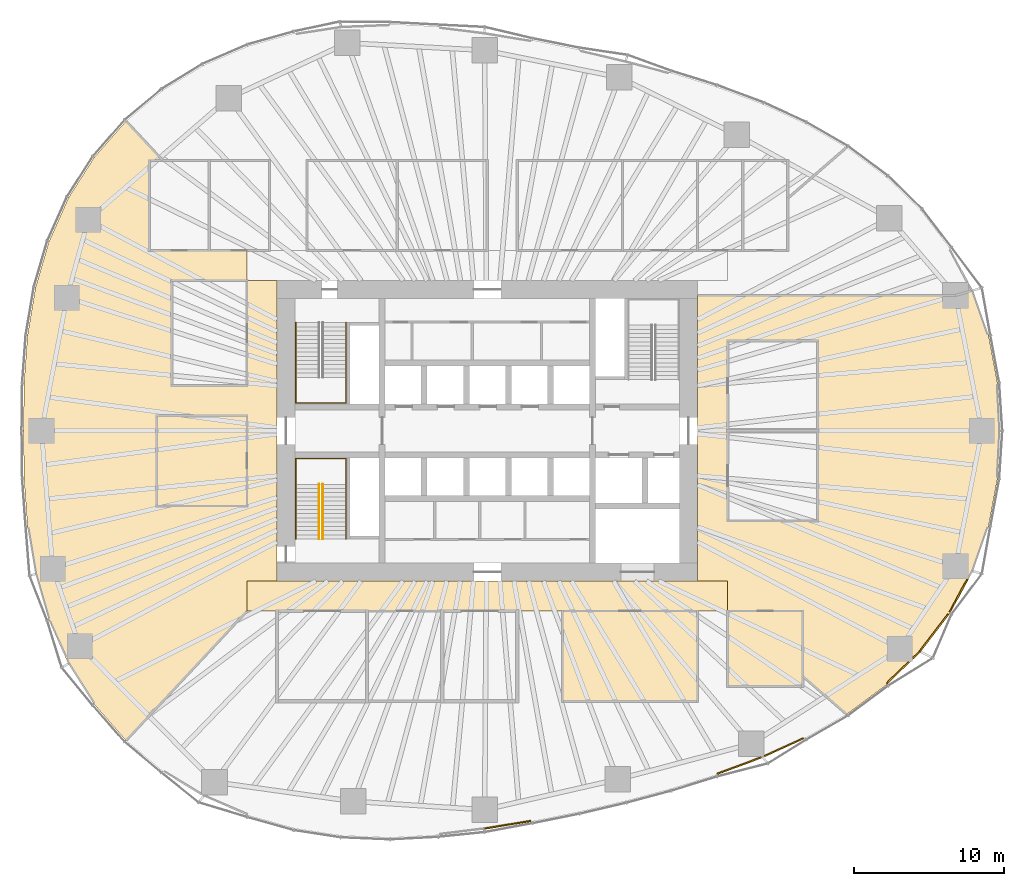
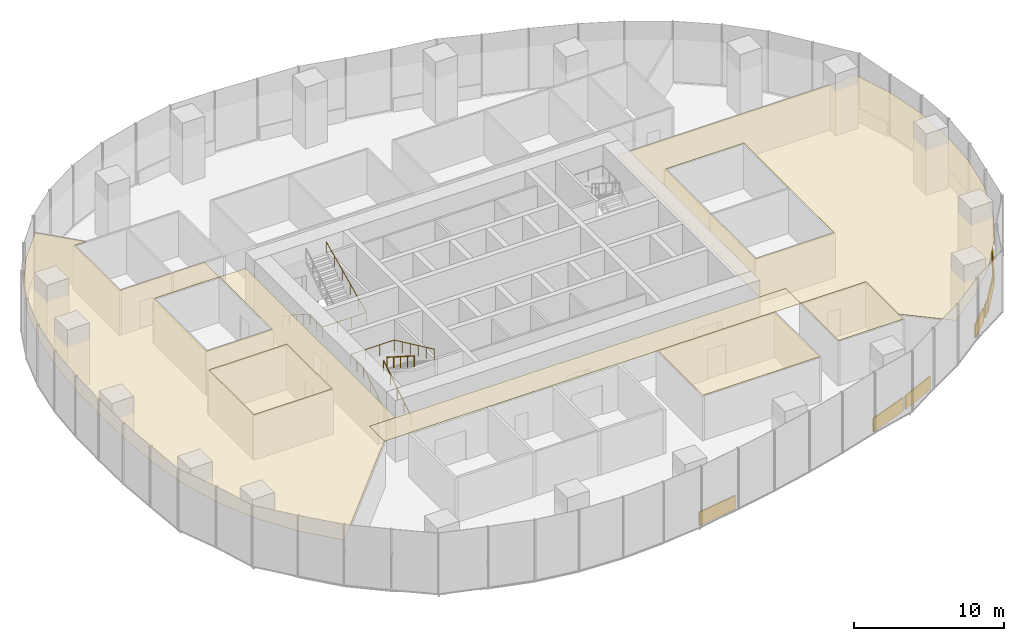
# One storey, part 18 of 19: 13 coverings, 4 railings.
"""IFC4 building model written with IfcOpenShell, lengths in metres."""

import ifcopenshell
import ifcopenshell.guid

model = None  # the IFC model being written
_history = None  # IfcOwnerHistory: only IFC2X3 demands one
_inside = {}  # id of a spatial element -> (the spatial element, [elements in it])
_under = {}  # id of a project, library or spatial element -> (it, [spatial elements below it])
_declared = {}  # id of a project -> (the project, [libraries it declares])
_typed = {}  # id of a type object -> (the type object, [elements of that type])
_made_of = {}  # id of a material, layer set ... -> (it, [elements and type objects made of it])


def new_model(schema):
    """Start an empty IFC model of exactly this schema.

    Asked for "IFC4X3", IfcOpenShell would pick the latest addendum, in which some entities
    have other attributes; the version numbers below select the first issue.
    IFC2X3 requires an IfcOwnerHistory on every rooted entity: one is made here for all.
    """
    global model, _history
    if schema == "IFC4X3":
        model = ifcopenshell.file(schema_version=(4, 3, 0, 0))
    else:
        model = ifcopenshell.file(schema=schema)
    _inside.clear()
    _under.clear()
    _declared.clear()
    _typed.clear()
    _made_of.clear()
    _history = None
    if model.schema == "IFC2X3":
        org = make("IfcOrganization", Name="unknown")
        user = make(
            "IfcPersonAndOrganization",
            ThePerson=make("IfcPerson", FamilyName="unknown"),
            TheOrganization=org,
        )
        app = make(
            "IfcApplication",
            ApplicationDeveloper=org,
            Version="unknown",
            ApplicationFullName="unknown",
            ApplicationIdentifier="unknown",
        )
        _history = make(
            "IfcOwnerHistory",
            OwningUser=user,
            OwningApplication=app,
            ChangeAction="ADDED",
            CreationDate=0,
        )
    return model


def make(cls, **values):
    """One entity of the class cls with the attributes given. An attribute that is None is left unset."""
    return model.create_entity(
        cls, **{name: value for name, value in values.items() if value is not None}
    )


def rooted(cls, **values):
    """An entity with a GlobalId (a new one), such as an element, a storey or a relation."""
    return make(cls, GlobalId=ifcopenshell.guid.new(), OwnerHistory=_history, **values)


def si_unit(unit_type, name, prefix=None):
    """IfcSIUnit, for example si_unit("LENGTHUNIT", "METRE", prefix="MILLI")."""
    return make("IfcSIUnit", UnitType=unit_type, Prefix=prefix, Name=name)


def assignment(units):
    """IfcUnitAssignment: the units of a project."""
    return None if units is None else make("IfcUnitAssignment", Units=units)


def point(xyz):
    """IfcCartesianPoint."""
    return None if xyz is None else make("IfcCartesianPoint", Coordinates=xyz)


def direction(xyz):
    """IfcDirection."""
    return None if xyz is None else make("IfcDirection", DirectionRatios=xyz)


def frame(location, z_axis=None, x_axis=None):
    """IfcAxis2Placement3D, a coordinate frame: its origin and axes. An axis left out is left unset."""
    return make(
        "IfcAxis2Placement3D",
        Location=point(location),
        Axis=direction(z_axis),
        RefDirection=direction(x_axis),
    )


def frame_2d(location, x_axis=None):
    """IfcAxis2Placement2D, a coordinate frame in the plane: its origin and x axis."""
    return make(
        "IfcAxis2Placement2D", Location=point(location), RefDirection=direction(x_axis)
    )


def origin():
    """The frame at (0, 0, 0) with its axes left unset."""
    return frame((0.0, 0.0, 0.0))


def origin_2d():
    """The frame at (0, 0) in the plane with its x axis left unset."""
    return frame_2d((0.0, 0.0))


def place(relative_to, where):
    """IfcLocalPlacement: puts the frame where relative to a parent placement (None: the world)."""
    return make(
        "IfcLocalPlacement", PlacementRelTo=relative_to, RelativePlacement=where
    )


def context(
    kind, dimensions, precision=None, world=None, true_north=None, identifier=None
):
    """IfcGeometricRepresentationContext, for example the 3D "Model" context."""
    return make(
        "IfcGeometricRepresentationContext",
        ContextIdentifier=identifier,
        ContextType=kind,
        CoordinateSpaceDimension=dimensions,
        Precision=precision,
        WorldCoordinateSystem=world,
        TrueNorth=true_north,
    )


def subcontext(parent, identifier, kind, view, scale=None):
    """IfcGeometricRepresentationSubContext, for example "Body" below "Model"."""
    return make(
        "IfcGeometricRepresentationSubContext",
        ContextIdentifier=identifier,
        ContextType=kind,
        ParentContext=parent,
        TargetScale=scale,
        TargetView=view,
    )


def project(units=None, contexts=None):
    """IfcProject with its units and contexts."""
    return rooted(
        "IfcProject",
        Name="project",
        RepresentationContexts=contexts,
        UnitsInContext=assignment(units),
    )


def spatial(cls, under=None, at=None, **own):
    """A site, building, storey or space (cls), placed at a placement, below another one or the project."""
    s = rooted(cls, ObjectPlacement=at, **own)
    if under is not None:
        _under.setdefault(under.id(), (under, []))[1].append(s)
    return s


def polyline(points):
    """IfcPolyline through the points."""
    return make("IfcPolyline", Points=[point(p) for p in points])


def profile(cls, at=None, kind="AREA", **sizes):
    """A parametric profile (cls). Its sizes go by their IFC names, for example OverallWidth=200.0."""
    return make(cls, ProfileType=kind, Position=at, **sizes)


def rectangle(**sizes):
    """IfcRectangleProfileDef."""
    return profile("IfcRectangleProfileDef", **sizes)


def circle(**sizes):
    """IfcCircleProfileDef."""
    return profile("IfcCircleProfileDef", **sizes)


def outline(outer, holes=None, kind="AREA"):
    """IfcArbitraryClosedProfileDef: a profile drawn as a closed curve; with holes, ...WithVoids."""
    if holes is None:
        return make("IfcArbitraryClosedProfileDef", ProfileType=kind, OuterCurve=outer)
    return make(
        "IfcArbitraryProfileDefWithVoids",
        ProfileType=kind,
        OuterCurve=outer,
        InnerCurves=holes,
    )


def extrude(swept, where, along, depth):
    """IfcExtrudedAreaSolid: the profile swept, set in the frame where, extruded along a direction by depth."""
    return make(
        "IfcExtrudedAreaSolid",
        SweptArea=swept,
        Position=where,
        ExtrudedDirection=direction(along),
        Depth=depth,
    )


def shape(context_of_items, identifier, shape_type, items):
    """IfcShapeRepresentation: the items that make up one representation, for example the "Body"."""
    return make(
        "IfcShapeRepresentation",
        ContextOfItems=context_of_items,
        RepresentationIdentifier=identifier,
        RepresentationType=shape_type,
        Items=items,
    )


def material(Name=None, Category=None):
    """IfcMaterial."""
    return make("IfcMaterial", Name=Name, Category=Category)


def layer(
    of_material, thickness, ventilated=None, Name=None, Category=None, Priority=None
):
    """IfcMaterialLayer: one layer of a wall or slab, of a material (None: an air gap)."""
    return make(
        "IfcMaterialLayer",
        Material=of_material,
        LayerThickness=thickness,
        IsVentilated=ventilated,
        Name=Name,
        Category=Category,
        Priority=Priority,
    )


def layer_set(layers, Name=None):
    """IfcMaterialLayerSet."""
    return make("IfcMaterialLayerSet", MaterialLayers=layers, LayerSetName=Name)


def made_of(thing, what):
    """Note that an element or type object is made of a material, layer set ...; save() writes the relation."""
    if what is not None:
        _made_of.setdefault(what.id(), (what, []))[1].append(thing)
    return thing


def type_object(cls, material=None, **own):
    """A type object (cls), such as IfcWallType, which elements share."""
    return made_of(rooted(cls, **own), material)


def element(
    cls,
    number,
    at=None,
    inside=None,
    cuts=None,
    type_object=None,
    material=None,
    context=None,
    identifier="Body",
    shape_type=None,
    held_by="IfcProductDefinitionShape",
    body=None,
    shapes=None,
    **own,
):
    """One element of the class cls, such as IfcWall. Its Tag is "e" and its number.

    at: its placement. inside: the storey or other place that contains it. cuts: it is an
    opening in that element (IfcRelVoidsElement). A single representation is given by context,
    identifier, shape_type and body (its items); several are given by shapes. held_by: the class
    of the entity that holds the representations. save() writes the other relations.
    """
    e = rooted(cls, Tag="e%d" % number, ObjectPlacement=at, **own)
    if body is not None:
        shapes = [shape(context, identifier, shape_type, body)]
    if shapes is not None:
        e.Representation = make(held_by, Representations=shapes)
    if inside is not None:
        _inside.setdefault(inside.id(), (inside, []))[1].append(e)
    if cuts is not None:
        rooted(
            "IfcRelVoidsElement", RelatingBuildingElement=cuts, RelatedOpeningElement=e
        )
    if type_object is not None:
        _typed.setdefault(type_object.id(), (type_object, []))[1].append(e)
    return made_of(e, material)


def aggregate(whole, parts):
    """IfcRelAggregates: a whole, such as a stair, and the parts it consists of."""
    return rooted("IfcRelAggregates", RelatingObject=whole, RelatedObjects=parts)


def save(model, path):
    """Write the relations noted so far, then the file.

    IfcRelAggregates (storeys below a building ...), IfcRelContainedInSpatialStructure (elements
    in a storey), IfcRelDefinesByType, IfcRelAssociatesMaterial and IfcRelDeclares: one each for
    every whole, place, type object, material and project.
    """
    for whole, parts in _under.values():
        aggregate(whole, parts)
    for where, things in _inside.values():
        rooted(
            "IfcRelContainedInSpatialStructure",
            RelatedElements=things,
            RelatingStructure=where,
        )
    for kind, things in _typed.values():
        rooted("IfcRelDefinesByType", RelatedObjects=things, RelatingType=kind)
    for what, things in _made_of.values():
        rooted("IfcRelAssociatesMaterial", RelatedObjects=things, RelatingMaterial=what)
    for by, libraries in _declared.values():
        rooted("IfcRelDeclares", RelatingContext=by, RelatedDefinitions=libraries)
    model.write(path)


model = new_model("IFC4")

# Units and contexts
model_context = context("Model", 3, precision=1e-05, world=origin(), true_north=direction((0.0, 1.0)))
body_context = subcontext(model_context, "Body", "Model", "MODEL_VIEW")
ifc_project = project(units=[si_unit("LENGTHUNIT", "METRE"), si_unit("AREAUNIT", "SQUARE_METRE"), si_unit("VOLUMEUNIT", "CUBIC_METRE"), si_unit("PLANEANGLEUNIT", "RADIAN"), si_unit("MASSUNIT", "GRAM", prefix="KILO")], contexts=[model_context])

# Site, building, storey
site_placement = place(None, origin())
site = spatial("IfcSite", under=ifc_project, at=site_placement, CompositionType="ELEMENT")
building_placement = place(site_placement, origin())
building = spatial("IfcBuilding", under=site, at=building_placement, Name="Ghaith Harvest Tower", CompositionType="ELEMENT")
storey_placement = place(building_placement, frame((0.0, 0.0, 70.0)))
storey = spatial("IfcBuildingStorey", under=building, at=storey_placement, Name="L14", CompositionType="ELEMENT", Elevation=70.0)

# Coverings
ifc_material_1 = material(Name="Mineral fibre ceiling tile", Category="gypsum")
ifc_layer_1 = layer(ifc_material_1, 0.02490234375)
ifc_layer_set_1 = layer_set([ifc_layer_1], Name="CEILING C2")
covering_type_1 = type_object("IfcCoveringType", Name="CEILING C2", PredefinedType="CEILING", material=ifc_layer_set_1)
covering_1_placement = place(storey_placement, frame((0.0, 0.0, 3.60009765625)))
element("IfcCovering", 1, at=covering_1_placement, inside=storey, type_object=covering_type_1, Name="Ceiling L14-06", PredefinedType="CEILING", context=body_context, shape_type="SweptSolid", body=[
    extrude(outline(polyline([(5.0, -18.0), (14.0, -18.0), (14.0, -12.0), (5.0, -12.0), (5.0, -18.0)])), origin(), (0.0, 0.0, 1.0), 0.02490234375),
])
covering_2_placement = place(storey_placement, frame((0.0, 0.0, 3.60009765625)))
element("IfcCovering", 2, at=covering_2_placement, inside=storey, type_object=covering_type_1, Name="Ceiling L14-07", PredefinedType="CEILING", context=body_context, shape_type="SweptSolid", body=[
    extrude(outline(polyline([(-22.0, -5.0), (-16.0, -5.0), (-16.0, 1.0), (-22.0, 1.0), (-22.0, -5.0)])), origin(), (0.0, 0.0, 1.0), 0.02490234375),
])
covering_3_placement = place(storey_placement, frame((0.0, 0.0, 3.60009765625)))
element("IfcCovering", 3, at=covering_3_placement, inside=storey, type_object=covering_type_1, Name="Ceiling L14-16", PredefinedType="CEILING", context=body_context, shape_type="SweptSolid", body=[
    extrude(outline(polyline([(16.0, -17.0), (21.0, -17.0), (21.0, -12.0), (16.0, -12.0), (16.0, -17.0)])), origin(), (0.0, 0.0, 1.0), 0.02490234375),
])
covering_4_placement = place(storey_placement, frame((0.0, 0.0, 3.60009765625)))
element("IfcCovering", 4, at=covering_4_placement, inside=storey, type_object=covering_type_1, Name="Ceiling L14-C2", PredefinedType="CEILING", context=body_context, shape_type="SweptSolid", body=[
    extrude(outline(polyline([(-16.0, -10.0), (16.0, -10.0), (16.0, -12.0), (-16.0, -12.0), (-16.0, -10.0)])), origin(), (0.0, 0.0, 1.0), 0.02490234375),
])
covering_5_placement = place(storey_placement, frame((0.0, 0.0, 3.60009765625)))
element("IfcCovering", 5, at=covering_5_placement, inside=storey, type_object=covering_type_1, Name="Ceiling L14-E2", PredefinedType="CEILING", context=body_context, shape_type="SweptSolid", body=[
    extrude(outline(polyline([(32.318359375, 9.3408203125), (33.37158203125, 6.333984375), (33.95849609375, 3.194091796875), (34.125, 0.0), (33.95849609375, -3.194091796875), (33.37158203125, -6.333984375), (32.318359375, -9.3408203125), (30.78515625, -12.1708984375), (28.840087890625, -14.708984375), (26.572509765625, -16.9111328125), (23.92431640625, -18.873046875), (21.0, -16.336669921875), (21.0, -12.0), (16.0, -12.0), (16.0, -10.0), (14.0, -10.0), (14.0, 9.008056640625), (31.166015625, 9.008056640625), (32.318359375, 9.3408203125)]), holes=[polyline([(16.0, -6.0), (22.0, -6.0), (22.0, 6.0), (16.0, 6.0), (16.0, -6.0)])]), origin(), (0.0, 0.0, 1.0), 0.02490234375),
])
covering_6_placement = place(storey_placement, frame((0.0, 0.0, 3.60009765625)))
element("IfcCovering", 6, at=covering_6_placement, inside=storey, type_object=covering_type_1, Name="Ceiling L14-W1", PredefinedType="CEILING", context=body_context, shape_type="SweptSolid", body=[
    extrude(outline(polyline([(-27.881591796875, -15.507080078125), (-29.182373046875, -12.587890625), (-30.073974609375, -9.531005859375), (-30.606689453125, -6.35107421875), (-30.837158203125, -3.165771484375), (-30.875, 0.0), (-30.837158203125, 3.165771484375), (-30.606689453125, 6.35107421875), (-30.073974609375, 9.531005859375), (-29.182373046875, 12.587890625), (-27.881591796875, 15.507080078125), (-26.16455078125, 18.20556640625), (-24.04833984375, 20.618408203125), (-21.60302734375, 18.0), (-22.5, 18.0), (-22.5, 12.0), (-16.0, 12.0), (-16.0, 10.010009765625), (-21.010009765625, 10.010009765625), (-21.010009765625, 2.989990234375), (-15.989990234375, 2.989990234375), (-15.989990234375, 10.0), (-14.0, 10.0), (-14.0, -10.0), (-16.0, -10.0), (-16.0, -12.0), (-24.04833984375, -20.618408203125), (-26.16455078125, -18.20556640625), (-27.881591796875, -15.507080078125)]), holes=[polyline([(-16.0, 1.0), (-22.0, 1.0), (-22.0, -5.0), (-16.0, -5.0), (-16.0, 1.0)])]), origin(), (0.0, 0.0, 1.0), 0.02490234375),
])

# Railings
ifc_material_2 = material(Name="Steel, black powder-coated", Category="steel")
railing_type = type_object("IfcRailingType", Name="HANDRAIL HR1", PredefinedType="HANDRAIL", material=ifc_material_2)
railing_1_placement = place(storey_placement, frame((-12.75, 7.199951171875, 0.178466796875)))
element("IfcRailing", 7, at=railing_1_placement, inside=storey, type_object=railing_type, Name="Handrail HR1 stair ST1 L14 wall side", PredefinedType="HANDRAIL", context=body_context, shape_type="SweptSolid", body=[
    extrude(circle(Radius=0.02392578125, at=origin_2d()), frame((0.0, 0.0, 0.8759765625), z_axis=(0.0, -0.843111507901, 0.53773877045), x_axis=(1.0, 0.0, 0.0)), (0.0, 0.0, 1.0), 4.317138671875),
    extrude(circle(Radius=0.02392578125, at=origin_2d()), frame((0.0, -3.639892578125, 3.197265625), z_axis=(0.0, -1.0, 0.0), x_axis=(1.0, 0.0, 0.0)), (0.0, 0.0, 1.0), 1.7099609375),
    extrude(circle(Radius=0.02392578125, at=origin_2d()), frame((0.0, -5.349853515625, 3.197265625), z_axis=(1.0, 0.0, 0.0), x_axis=(0.0, 1.0, 0.0)), (0.0, 0.0, 1.0), 3.35009765625),
    extrude(circle(Radius=0.02392578125, at=origin_2d()), frame((3.35009765625, -5.349853515625, 3.197265625), z_axis=(0.0, 0.905962265858, 0.423358444868), x_axis=(-1.0, 0.0, 0.0)), (0.0, 0.0, 1.0), 5.9052734375),
    extrude(circle(Radius=0.02099609375, at=origin_2d()), origin(), (0.0, 0.0, 1.0), 0.851806640625),
    extrude(circle(Radius=0.02099609375, at=origin_2d()), frame((0.0, -0.909912109375, 0.580322265625)), (0.0, 0.0, 1.0), 0.851806640625),
    extrude(circle(Radius=0.02099609375, at=origin_2d()), frame((0.0, -1.81982421875, 1.16064453125)), (0.0, 0.0, 1.0), 0.851806640625),
    extrude(circle(Radius=0.02099609375, at=origin_2d()), frame((0.0, -2.72998046875, 1.7412109375)), (0.0, 0.0, 1.0), 0.851806640625),
    extrude(circle(Radius=0.02099609375, at=origin_2d()), frame((0.0, -3.639892578125, 2.321533203125)), (0.0, 0.0, 1.0), 0.851806640625),
    extrude(circle(Radius=0.02099609375, at=origin_2d()), frame((0.0, -4.494873046875, 2.321533203125)), (0.0, 0.0, 1.0), 0.851806640625),
    extrude(circle(Radius=0.02099609375, at=origin_2d()), frame((0.0, -5.349853515625, 2.321533203125)), (0.0, 0.0, 1.0), 0.851806640625),
    extrude(circle(Radius=0.02099609375, at=origin_2d()), frame((1.11669921875, -5.349853515625, 2.321533203125)), (0.0, 0.0, 1.0), 0.851806640625),
    extrude(circle(Radius=0.02099609375, at=origin_2d()), frame((2.2333984375, -5.349853515625, 2.321533203125)), (0.0, 0.0, 1.0), 0.851806640625),
    extrude(circle(Radius=0.02099609375, at=origin_2d()), frame((3.35009765625, -5.349853515625, 2.321533203125)), (0.0, 0.0, 1.0), 0.851806640625),
    extrude(circle(Radius=0.02099609375, at=origin_2d()), frame((3.35009765625, -4.27978515625, 2.821533203125)), (0.0, 0.0, 1.0), 0.851806640625),
    extrude(circle(Radius=0.02099609375, at=origin_2d()), frame((3.35009765625, -3.2099609375, 3.321533203125)), (0.0, 0.0, 1.0), 0.851806640625),
    extrude(circle(Radius=0.02099609375, at=origin_2d()), frame((3.35009765625, -2.139892578125, 3.821533203125)), (0.0, 0.0, 1.0), 0.851806640625),
    extrude(circle(Radius=0.02099609375, at=origin_2d()), frame((3.35009765625, -1.070068359375, 4.321533203125)), (0.0, 0.0, 1.0), 0.851806640625),
    extrude(circle(Radius=0.02099609375, at=origin_2d()), frame((3.35009765625, 0.0, 4.821533203125)), (0.0, 0.0, 1.0), 0.851806640625),
])
railing_2_placement = place(storey_placement, frame((-11.199951171875, -7.199951171875, 0.178466796875)))
element("IfcRailing", 8, at=railing_2_placement, inside=storey, type_object=railing_type, Name="Handrail HR1 stair ST3 L14 flight 1 inner", PredefinedType="HANDRAIL", context=body_context, shape_type="SweptSolid", body=[
    extrude(circle(Radius=0.02392578125, at=origin_2d()), frame((0.0, 0.0, 0.8759765625), z_axis=(0.0, 0.843111507901, 0.53773877045), x_axis=(-1.0, 0.0, 0.0)), (0.0, 0.0, 1.0), 4.317138671875),
    extrude(circle(Radius=0.02099609375, at=origin_2d()), origin(), (0.0, 0.0, 1.0), 0.851806640625),
    extrude(circle(Radius=0.02099609375, at=origin_2d()), frame((0.0, 0.909912109375, 0.580322265625)), (0.0, 0.0, 1.0), 0.851806640625),
    extrude(circle(Radius=0.02099609375, at=origin_2d()), frame((0.0, 1.81982421875, 1.16064453125)), (0.0, 0.0, 1.0), 0.851806640625),
    extrude(circle(Radius=0.02099609375, at=origin_2d()), frame((0.0, 2.72998046875, 1.7412109375)), (0.0, 0.0, 1.0), 0.851806640625),
    extrude(circle(Radius=0.02099609375, at=origin_2d()), frame((0.0, 3.639892578125, 2.321533203125)), (0.0, 0.0, 1.0), 0.851806640625),
])
railing_3_placement = place(storey_placement, frame((-10.949951171875, -3.56005859375, 2.678466796875)))
element("IfcRailing", 9, at=railing_3_placement, inside=storey, type_object=railing_type, Name="Handrail HR1 stair ST3 L14 flight 2 inner", PredefinedType="HANDRAIL", context=body_context, shape_type="SweptSolid", body=[
    extrude(circle(Radius=0.02392578125, at=origin_2d()), frame((0.0, 0.0, 0.8759765625), z_axis=(0.0, -0.843111507901, 0.53773877045), x_axis=(1.0, 0.0, 0.0)), (0.0, 0.0, 1.0), 4.317138671875),
    extrude(circle(Radius=0.02099609375, at=origin_2d()), origin(), (0.0, 0.0, 1.0), 0.851806640625),
    extrude(circle(Radius=0.02099609375, at=origin_2d()), frame((0.0, -0.909912109375, 0.580322265625)), (0.0, 0.0, 1.0), 0.851806640625),
    extrude(circle(Radius=0.02099609375, at=origin_2d()), frame((0.0, -1.81982421875, 1.16064453125)), (0.0, 0.0, 1.0), 0.851806640625),
    extrude(circle(Radius=0.02099609375, at=origin_2d()), frame((0.0, -2.72998046875, 1.7412109375)), (0.0, 0.0, 1.0), 0.851806640625),
    extrude(circle(Radius=0.02099609375, at=origin_2d()), frame((0.0, -3.639892578125, 2.321533203125)), (0.0, 0.0, 1.0), 0.851806640625),
])
railing_4_placement = place(storey_placement, frame((-12.75, -7.199951171875, 0.178466796875)))
element("IfcRailing", 10, at=railing_4_placement, inside=storey, type_object=railing_type, Name="Handrail HR1 stair ST3 L14 wall side", PredefinedType="HANDRAIL", context=body_context, shape_type="SweptSolid", body=[
    extrude(circle(Radius=0.02392578125, at=origin_2d()), frame((0.0, 0.0, 0.8759765625), z_axis=(0.0, 0.843111507901, 0.53773877045), x_axis=(-1.0, 0.0, 0.0)), (0.0, 0.0, 1.0), 4.317138671875),
    extrude(circle(Radius=0.02392578125, at=origin_2d()), frame((0.0, 3.639892578125, 3.197265625), z_axis=(0.0, 1.0, 0.0), x_axis=(-1.0, 0.0, 0.0)), (0.0, 0.0, 1.0), 1.7099609375),
    extrude(circle(Radius=0.02392578125, at=origin_2d()), frame((0.0, 5.349853515625, 3.197265625), z_axis=(1.0, 0.0, 0.0), x_axis=(0.0, 1.0, 0.0)), (0.0, 0.0, 1.0), 3.35009765625),
    extrude(circle(Radius=0.02392578125, at=origin_2d()), frame((3.35009765625, 5.349853515625, 3.197265625), z_axis=(0.0, -0.905962265858, 0.423358444868), x_axis=(1.0, 0.0, 0.0)), (0.0, 0.0, 1.0), 5.9052734375),
    extrude(circle(Radius=0.02099609375, at=origin_2d()), origin(), (0.0, 0.0, 1.0), 0.851806640625),
    extrude(circle(Radius=0.02099609375, at=origin_2d()), frame((0.0, 0.909912109375, 0.580322265625)), (0.0, 0.0, 1.0), 0.851806640625),
    extrude(circle(Radius=0.02099609375, at=origin_2d()), frame((0.0, 1.81982421875, 1.16064453125)), (0.0, 0.0, 1.0), 0.851806640625),
    extrude(circle(Radius=0.02099609375, at=origin_2d()), frame((0.0, 2.72998046875, 1.7412109375)), (0.0, 0.0, 1.0), 0.851806640625),
    extrude(circle(Radius=0.02099609375, at=origin_2d()), frame((0.0, 3.639892578125, 2.321533203125)), (0.0, 0.0, 1.0), 0.851806640625),
    extrude(circle(Radius=0.02099609375, at=origin_2d()), frame((0.0, 4.494873046875, 2.321533203125)), (0.0, 0.0, 1.0), 0.851806640625),
    extrude(circle(Radius=0.02099609375, at=origin_2d()), frame((0.0, 5.349853515625, 2.321533203125)), (0.0, 0.0, 1.0), 0.851806640625),
    extrude(circle(Radius=0.02099609375, at=origin_2d()), frame((1.11669921875, 5.349853515625, 2.321533203125)), (0.0, 0.0, 1.0), 0.851806640625),
    extrude(circle(Radius=0.02099609375, at=origin_2d()), frame((2.2333984375, 5.349853515625, 2.321533203125)), (0.0, 0.0, 1.0), 0.851806640625),
    extrude(circle(Radius=0.02099609375, at=origin_2d()), frame((3.35009765625, 5.349853515625, 2.321533203125)), (0.0, 0.0, 1.0), 0.851806640625),
    extrude(circle(Radius=0.02099609375, at=origin_2d()), frame((3.35009765625, 4.27978515625, 2.821533203125)), (0.0, 0.0, 1.0), 0.851806640625),
    extrude(circle(Radius=0.02099609375, at=origin_2d()), frame((3.35009765625, 3.2099609375, 3.321533203125)), (0.0, 0.0, 1.0), 0.851806640625),
    extrude(circle(Radius=0.02099609375, at=origin_2d()), frame((3.35009765625, 2.139892578125, 3.821533203125)), (0.0, 0.0, 1.0), 0.851806640625),
    extrude(circle(Radius=0.02099609375, at=origin_2d()), frame((3.35009765625, 1.070068359375, 4.321533203125)), (0.0, 0.0, 1.0), 0.851806640625),
    extrude(circle(Radius=0.02099609375, at=origin_2d()), frame((3.35009765625, 0.0, 4.821533203125)), (0.0, 0.0, 1.0), 0.851806640625),
])

# Coverings
ifc_material_3 = material(Name="Insulated aluminium spandrel panel on steel framing", Category="steel")
ifc_layer_2 = layer(ifc_material_3, 0.10009765625)
ifc_layer_set_2 = layer_set([ifc_layer_2], Name="SLAB EDGE UPSTAND 1100x100")
covering_type_2 = type_object("IfcCoveringType", Name="SLAB EDGE UPSTAND 1100x100", PredefinedType="CLADDING", material=ifc_layer_set_2)
covering_7_placement = place(storey_placement, frame((1.349609375, -26.224365234375, 0.0), z_axis=(0.0, 0.0, 1.0), x_axis=(0.98671624755, 0.162453214254, 0.0)))
element("IfcCovering", 11, at=covering_7_placement, inside=storey, type_object=covering_type_2, Name="Slab edge upstand 1 bay 16 L14", PredefinedType="CLADDING", context=body_context, shape_type="SweptSolid", body=[
    extrude(rectangle(XDim=3.119873046875, YDim=0.10009765625, at=origin_2d()), origin(), (0.0, 0.0, 1.0), 1.10009765625),
])
covering_8_placement = place(storey_placement, frame((16.764404296875, -22.289306640625, 0.0), z_axis=(0.0, 0.0, 1.0), x_axis=(0.937331853701, 0.348437937139, 0.0)))
element("IfcCovering", 12, at=covering_8_placement, inside=storey, type_object=covering_type_2, Name="Slab edge upstand 3 bay 17 L14", PredefinedType="CLADDING", context=body_context, shape_type="SweptSolid", body=[
    extrude(rectangle(XDim=3.1298828125, YDim=0.10009765625, at=origin_2d()), origin(), (0.0, 0.0, 1.0), 1.10009765625),
])
covering_9_placement = place(storey_placement, frame((19.7451171875, -21.05810546875, 0.0), z_axis=(0.0, 0.0, 1.0), x_axis=(0.909046054499, 0.416695657284, 0.0)))
element("IfcCovering", 13, at=covering_9_placement, inside=storey, type_object=covering_type_2, Name="Slab edge upstand 1 bay 18 L14", PredefinedType="CLADDING", context=body_context, shape_type="SweptSolid", body=[
    extrude(rectangle(XDim=2.84326171875, YDim=0.10009765625, at=origin_2d()), origin(), (0.0, 0.0, 1.0), 1.10009765625),
])
covering_10_placement = place(storey_placement, frame((27.330810546875, -16.105224609375, 0.0), z_axis=(0.0, 0.0, 1.0), x_axis=(0.717386427289, 0.69667547247, 0.0)))
element("IfcCovering", 14, at=covering_10_placement, inside=storey, type_object=covering_type_2, Name="Slab edge upstand 1 bay 19 L14", PredefinedType="CLADDING", context=body_context, shape_type="SweptSolid", body=[
    extrude(rectangle(XDim=2.010498046875, YDim=0.10009765625, at=origin_2d()), origin(), (0.0, 0.0, 1.0), 1.10009765625),
])
covering_11_placement = place(storey_placement, frame((28.57470703125, -14.897216796875, 0.0), z_axis=(0.0, 0.0, 1.0), x_axis=(0.717386427289, 0.69667547247, 0.0)))
element("IfcCovering", 15, at=covering_11_placement, inside=storey, type_object=covering_type_2, Name="Slab edge upstand 1 bay 19 L14", PredefinedType="CLADDING", context=body_context, shape_type="SweptSolid", body=[
    extrude(rectangle(XDim=0.643310546875, YDim=0.10009765625, at=origin_2d()), origin(), (0.0, 0.0, 1.0), 1.10009765625),
])
covering_12_placement = place(storey_placement, frame((29.74267578125, -13.44921875, 0.0), z_axis=(0.0, 0.0, 1.0), x_axis=(0.608255123652, 0.7937415855, 0.0)))
element("IfcCovering", 16, at=covering_12_placement, inside=storey, type_object=covering_type_2, Name="Slab edge upstand 2 bay 19 L14", PredefinedType="CLADDING", context=body_context, shape_type="SweptSolid", body=[
    extrude(rectangle(XDim=3.09765625, YDim=0.10009765625, at=origin_2d()), origin(), (0.0, 0.0, 1.0), 1.10009765625),
])
covering_13_placement = place(storey_placement, frame((31.3759765625, -10.9755859375, 0.0), z_axis=(0.0, 0.0, 1.0), x_axis=(0.4763492928, 0.879256135178, 0.0)))
element("IfcCovering", 17, at=covering_13_placement, inside=storey, type_object=covering_type_2, Name="Slab edge upstand 3 bay 19 L14", PredefinedType="CLADDING", context=body_context, shape_type="SweptSolid", body=[
    extrude(rectangle(XDim=2.46484375, YDim=0.10009765625, at=origin_2d()), origin(), (0.0, 0.0, 1.0), 1.10009765625),
])

save(model, "model.ifc")
